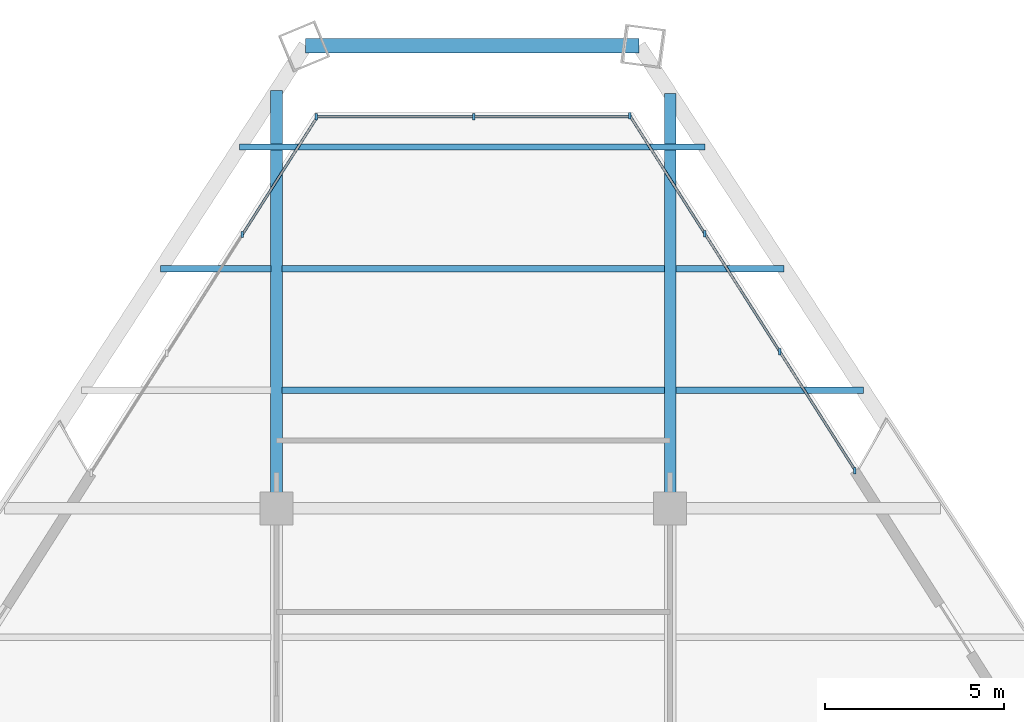
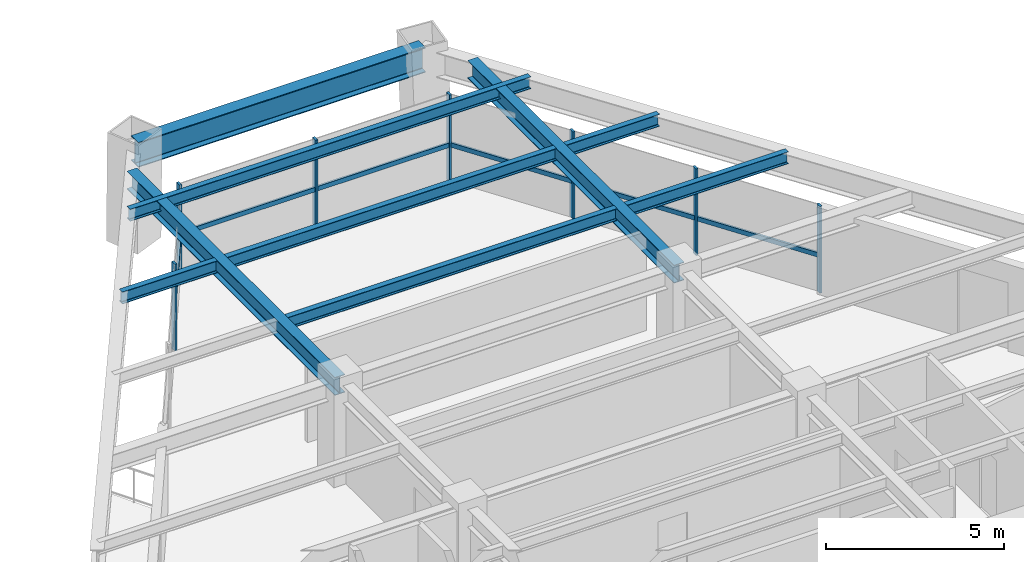
# One storey, part 9 of 15: 13 members, 9 beams, 3 elements without a shape of their own.
"""IFC4 building model written with IfcOpenShell, lengths in metres."""

import ifcopenshell
import ifcopenshell.guid

model = None  # the IFC model being written
_history = None  # IfcOwnerHistory: only IFC2X3 demands one
_inside = {}  # id of a spatial element -> (the spatial element, [elements in it])
_under = {}  # id of a project, library or spatial element -> (it, [spatial elements below it])
_declared = {}  # id of a project -> (the project, [libraries it declares])
_typed = {}  # id of a type object -> (the type object, [elements of that type])
_made_of = {}  # id of a material, layer set ... -> (it, [elements and type objects made of it])


def new_model(schema):
    """Start an empty IFC model of exactly this schema.

    Asked for "IFC4X3", IfcOpenShell would pick the latest addendum, in which some entities
    have other attributes; the version numbers below select the first issue.
    IFC2X3 requires an IfcOwnerHistory on every rooted entity: one is made here for all.
    """
    global model, _history
    if schema == "IFC4X3":
        model = ifcopenshell.file(schema_version=(4, 3, 0, 0))
    else:
        model = ifcopenshell.file(schema=schema)
    _inside.clear()
    _under.clear()
    _declared.clear()
    _typed.clear()
    _made_of.clear()
    _history = None
    if model.schema == "IFC2X3":
        org = make("IfcOrganization", Name="unknown")
        user = make(
            "IfcPersonAndOrganization",
            ThePerson=make("IfcPerson", FamilyName="unknown"),
            TheOrganization=org,
        )
        app = make(
            "IfcApplication",
            ApplicationDeveloper=org,
            Version="unknown",
            ApplicationFullName="unknown",
            ApplicationIdentifier="unknown",
        )
        _history = make(
            "IfcOwnerHistory",
            OwningUser=user,
            OwningApplication=app,
            ChangeAction="ADDED",
            CreationDate=0,
        )
    return model


def make(cls, **values):
    """One entity of the class cls with the attributes given. An attribute that is None is left unset."""
    return model.create_entity(
        cls, **{name: value for name, value in values.items() if value is not None}
    )


def rooted(cls, **values):
    """An entity with a GlobalId (a new one), such as an element, a storey or a relation."""
    return make(cls, GlobalId=ifcopenshell.guid.new(), OwnerHistory=_history, **values)


def si_unit(unit_type, name, prefix=None):
    """IfcSIUnit, for example si_unit("LENGTHUNIT", "METRE", prefix="MILLI")."""
    return make("IfcSIUnit", UnitType=unit_type, Prefix=prefix, Name=name)


def assignment(units):
    """IfcUnitAssignment: the units of a project."""
    return None if units is None else make("IfcUnitAssignment", Units=units)


def point(xyz):
    """IfcCartesianPoint."""
    return None if xyz is None else make("IfcCartesianPoint", Coordinates=xyz)


def direction(xyz):
    """IfcDirection."""
    return None if xyz is None else make("IfcDirection", DirectionRatios=xyz)


def frame(location, z_axis=None, x_axis=None):
    """IfcAxis2Placement3D, a coordinate frame: its origin and axes. An axis left out is left unset."""
    return make(
        "IfcAxis2Placement3D",
        Location=point(location),
        Axis=direction(z_axis),
        RefDirection=direction(x_axis),
    )


def frame_2d(location, x_axis=None):
    """IfcAxis2Placement2D, a coordinate frame in the plane: its origin and x axis."""
    return make(
        "IfcAxis2Placement2D", Location=point(location), RefDirection=direction(x_axis)
    )


def origin():
    """The frame at (0, 0, 0) with its axes left unset."""
    return frame((0.0, 0.0, 0.0))


def origin_2d():
    """The frame at (0, 0) in the plane with its x axis left unset."""
    return frame_2d((0.0, 0.0))


def place(relative_to, where):
    """IfcLocalPlacement: puts the frame where relative to a parent placement (None: the world)."""
    return make(
        "IfcLocalPlacement", PlacementRelTo=relative_to, RelativePlacement=where
    )


def context(
    kind, dimensions, precision=None, world=None, true_north=None, identifier=None
):
    """IfcGeometricRepresentationContext, for example the 3D "Model" context."""
    return make(
        "IfcGeometricRepresentationContext",
        ContextIdentifier=identifier,
        ContextType=kind,
        CoordinateSpaceDimension=dimensions,
        Precision=precision,
        WorldCoordinateSystem=world,
        TrueNorth=true_north,
    )


def subcontext(parent, identifier, kind, view, scale=None):
    """IfcGeometricRepresentationSubContext, for example "Body" below "Model"."""
    return make(
        "IfcGeometricRepresentationSubContext",
        ContextIdentifier=identifier,
        ContextType=kind,
        ParentContext=parent,
        TargetScale=scale,
        TargetView=view,
    )


def project(units=None, contexts=None):
    """IfcProject with its units and contexts."""
    return rooted(
        "IfcProject",
        Name="project",
        RepresentationContexts=contexts,
        UnitsInContext=assignment(units),
    )


def spatial(cls, under=None, at=None, **own):
    """A site, building, storey or space (cls), placed at a placement, below another one or the project."""
    s = rooted(cls, ObjectPlacement=at, **own)
    if under is not None:
        _under.setdefault(under.id(), (under, []))[1].append(s)
    return s


def profile(cls, at=None, kind="AREA", **sizes):
    """A parametric profile (cls). Its sizes go by their IFC names, for example OverallWidth=200.0."""
    return make(cls, ProfileType=kind, Position=at, **sizes)


def rectangle(**sizes):
    """IfcRectangleProfileDef."""
    return profile("IfcRectangleProfileDef", **sizes)


def i_section(**sizes):
    """IfcIShapeProfileDef."""
    return profile("IfcIShapeProfileDef", **sizes)


def extrude(swept, where, along, depth):
    """IfcExtrudedAreaSolid: the profile swept, set in the frame where, extruded along a direction by depth."""
    return make(
        "IfcExtrudedAreaSolid",
        SweptArea=swept,
        Position=where,
        ExtrudedDirection=direction(along),
        Depth=depth,
    )


def shape(context_of_items, identifier, shape_type, items):
    """IfcShapeRepresentation: the items that make up one representation, for example the "Body"."""
    return make(
        "IfcShapeRepresentation",
        ContextOfItems=context_of_items,
        RepresentationIdentifier=identifier,
        RepresentationType=shape_type,
        Items=items,
    )


def source(mapping_origin, context_of_items, identifier, shape_type, items):
    """IfcRepresentationMap: a shape defined once, which mapped items show again and again."""
    return make(
        "IfcRepresentationMap",
        MappingOrigin=mapping_origin,
        MappedRepresentation=shape(context_of_items, identifier, shape_type, items),
    )


def transform(
    local_origin,
    x_axis=None,
    y_axis=None,
    z_axis=None,
    scale=None,
    scale2=None,
    scale3=None,
    uniform=True,
):
    """IfcCartesianTransformationOperator3D, or its non-uniform kind. x_axis, y_axis, z_axis: its Axis1, 2, 3."""
    if uniform:
        return make(
            "IfcCartesianTransformationOperator3D",
            Axis1=direction(x_axis),
            Axis2=direction(y_axis),
            LocalOrigin=point(local_origin),
            Scale=scale,
            Axis3=direction(z_axis),
        )
    return make(
        "IfcCartesianTransformationOperator3DnonUniform",
        Axis1=direction(x_axis),
        Axis2=direction(y_axis),
        LocalOrigin=point(local_origin),
        Scale=scale,
        Axis3=direction(z_axis),
        Scale2=scale2,
        Scale3=scale3,
    )


def mapped(mapping_source, mapping_target):
    """IfcMappedItem: shows the shape of a source again, moved by a transform."""
    return make(
        "IfcMappedItem", MappingSource=mapping_source, MappingTarget=mapping_target
    )


def material(Name=None, Category=None):
    """IfcMaterial."""
    return make("IfcMaterial", Name=Name, Category=Category)


def material_profile(
    of_material, cross_section, Name=None, Category=None, Priority=None
):
    """IfcMaterialProfile: a cross section and its material."""
    return make(
        "IfcMaterialProfile",
        Name=Name,
        Material=of_material,
        Profile=cross_section,
        Priority=Priority,
        Category=Category,
    )


def profile_set(profiles, Name=None, composite=None):
    """IfcMaterialProfileSet."""
    return make(
        "IfcMaterialProfileSet",
        Name=Name,
        MaterialProfiles=profiles,
        CompositeProfile=composite,
    )


def made_of(thing, what):
    """Note that an element or type object is made of a material, layer set ...; save() writes the relation."""
    if what is not None:
        _made_of.setdefault(what.id(), (what, []))[1].append(thing)
    return thing


def type_object(cls, material=None, **own):
    """A type object (cls), such as IfcWallType, which elements share."""
    return made_of(rooted(cls, **own), material)


def element(
    cls,
    number,
    at=None,
    inside=None,
    cuts=None,
    type_object=None,
    material=None,
    context=None,
    identifier="Body",
    shape_type=None,
    held_by="IfcProductDefinitionShape",
    body=None,
    shapes=None,
    **own,
):
    """One element of the class cls, such as IfcWall. Its Tag is "e" and its number.

    at: its placement. inside: the storey or other place that contains it. cuts: it is an
    opening in that element (IfcRelVoidsElement). A single representation is given by context,
    identifier, shape_type and body (its items); several are given by shapes. held_by: the class
    of the entity that holds the representations. save() writes the other relations.
    """
    e = rooted(cls, Tag="e%d" % number, ObjectPlacement=at, **own)
    if body is not None:
        shapes = [shape(context, identifier, shape_type, body)]
    if shapes is not None:
        e.Representation = make(held_by, Representations=shapes)
    if inside is not None:
        _inside.setdefault(inside.id(), (inside, []))[1].append(e)
    if cuts is not None:
        rooted(
            "IfcRelVoidsElement", RelatingBuildingElement=cuts, RelatedOpeningElement=e
        )
    if type_object is not None:
        _typed.setdefault(type_object.id(), (type_object, []))[1].append(e)
    return made_of(e, material)


def aggregate(whole, parts):
    """IfcRelAggregates: a whole, such as a stair, and the parts it consists of."""
    return rooted("IfcRelAggregates", RelatingObject=whole, RelatedObjects=parts)


def save(model, path):
    """Write the relations noted so far, then the file.

    IfcRelAggregates (storeys below a building ...), IfcRelContainedInSpatialStructure (elements
    in a storey), IfcRelDefinesByType, IfcRelAssociatesMaterial and IfcRelDeclares: one each for
    every whole, place, type object, material and project.
    """
    for whole, parts in _under.values():
        aggregate(whole, parts)
    for where, things in _inside.values():
        rooted(
            "IfcRelContainedInSpatialStructure",
            RelatedElements=things,
            RelatingStructure=where,
        )
    for kind, things in _typed.values():
        rooted("IfcRelDefinesByType", RelatedObjects=things, RelatingType=kind)
    for what, things in _made_of.values():
        rooted("IfcRelAssociatesMaterial", RelatedObjects=things, RelatingMaterial=what)
    for by, libraries in _declared.values():
        rooted("IfcRelDeclares", RelatingContext=by, RelatedDefinitions=libraries)
    model.write(path)


model = new_model("IFC4")

# Units and contexts
model_context = context("Model", 3, precision=1e-05, world=origin(), true_north=direction((0.0, 1.0)))
body_context = subcontext(model_context, "Body", "Model", "MODEL_VIEW")
ifc_project = project(units=[si_unit("LENGTHUNIT", "METRE"), si_unit("AREAUNIT", "SQUARE_METRE"), si_unit("VOLUMEUNIT", "CUBIC_METRE"), si_unit("PLANEANGLEUNIT", "RADIAN"), si_unit("MASSUNIT", "GRAM", prefix="KILO")], contexts=[model_context])

# Site, building, storey
site_placement = place(None, origin())
site = spatial("IfcSite", under=ifc_project, at=site_placement, CompositionType="ELEMENT")
building_placement = place(site_placement, origin())
building = spatial("IfcBuilding", under=site, at=building_placement, Name="Varnakhor Terracotta Tower", CompositionType="ELEMENT")
storey_placement = place(building_placement, frame((0.0, 0.0, 162.60009765625)))
storey = spatial("IfcBuildingStorey", under=building, at=storey_placement, Name="L41", CompositionType="ELEMENT", Elevation=162.60009765625)

# Beams
ifc_material_1 = material(Name="Steel S355", Category="steel")
ifc_material_profile_1 = material_profile(ifc_material_1, i_section(OverallWidth=0.179931640625, OverallDepth=0.4130859375, WebThickness=0.009765625, FlangeThickness=0.01611328125, FilletRadius=0.01806640625, at=origin_2d()), Name="W16X50")
ifc_profile_set_1 = profile_set([ifc_material_profile_1], Name="Steel S355")
beam_type_1 = type_object("IfcBeamType", Name="JST-W16X50", PredefinedType="JOIST", material=ifc_profile_set_1)
shared_shape_1 = source(origin(), body_context, "Body", "SweptSolid", [
    extrude(i_section(OverallWidth=0.179931640625, OverallDepth=0.4130859375, WebThickness=0.009765625, FlangeThickness=0.01611328125, FilletRadius=0.01806640625, at=origin_2d()), origin(), (0.0, 0.0, 1.0), 10.68310546875),
])
for number, where, z_axis, x_axis, name in (
    (1, (-5.341552734375, 34.800048828125, 3.193359375), (1.0, 0.0, 0.0), (0.0, 1.0, 0.0), "L41 Composite Floor Joist 7-2"),
    (2, (-5.341552734375, 38.199951171875, 3.193359375), (1.0, 0.0, 0.0), (0.0, 1.0, 0.0), "L41 Composite Floor Joist 8-2"),
):
    element("IfcBeam", number, at=place(storey_placement, frame(where, z_axis=z_axis, x_axis=x_axis)), inside=storey, type_object=beam_type_1, Name=name, PredefinedType="JOIST", context=body_context, shape_type="MappedRepresentation", body=[
        mapped(shared_shape_1, transform((0.0, 0.0, 0.0), scale=1.0)),
    ])
ifc_material_profile_2 = material_profile(ifc_material_1, i_section(OverallWidth=0.39990234375, OverallDepth=0.85498046875, WebThickness=0.01806640625, FlangeThickness=0.029052734375, FilletRadius=0.01806640625, at=origin_2d()), Name="W33X201")
ifc_profile_set_2 = profile_set([ifc_material_profile_2], Name="Steel S355")
beam_type_2 = type_object("IfcBeamType", Name="BM-W33X201", PredefinedType="BEAM", material=ifc_profile_set_2)
shared_shape_2 = source(origin(), body_context, "Body", "SweptSolid", [
    extrude(i_section(OverallWidth=0.39990234375, OverallDepth=0.85498046875, WebThickness=0.01806640625, FlangeThickness=0.029052734375, FilletRadius=0.01806640625, at=origin_2d()), origin(), (0.0, 0.0, 1.0), 9.320556640625),
])
beam_1_placement = place(storey_placement, frame((4.63134765625, 44.428955078125, 2.972412109375), z_axis=(-1.0, 0.0, 0.0), x_axis=(0.0, -1.0, 0.0)))
element("IfcBeam", 3, at=beam_1_placement, inside=storey, type_object=beam_type_2, Name="L41 Perimeter Spandrel 5", PredefinedType="BEAM", context=body_context, shape_type="MappedRepresentation", body=[
    mapped(shared_shape_2, transform((0.0, 0.0, 0.0), scale=1.0)),
])
ifc_material_profile_3 = material_profile(ifc_material_1, i_section(OverallWidth=0.324951171875, OverallDepth=0.615966796875, WebThickness=0.013916015625, FlangeThickness=0.02197265625, FilletRadius=0.01806640625, at=origin_2d()), Name="W24X117")
ifc_profile_set_3 = profile_set([ifc_material_profile_3], Name="Steel S355")
beam_type_3 = type_object("IfcBeamType", Name="BM-W24X117", PredefinedType="BEAM", material=ifc_profile_set_3)
shared_shape_3 = source(origin(), body_context, "Body", "SweptSolid", [
    extrude(i_section(OverallWidth=0.324951171875, OverallDepth=0.615966796875, WebThickness=0.013916015625, FlangeThickness=0.02197265625, FilletRadius=0.01806640625, at=origin_2d()), origin(), (0.0, 0.0, 1.0), 11.681640625),
])
beam_2_placement = place(storey_placement, frame((-5.5, 31.5, 3.091796875), z_axis=(0.0, 1.0, 0.0), x_axis=(-1.0, 0.0, 0.0)))
element("IfcBeam", 4, at=beam_2_placement, inside=storey, type_object=beam_type_3, Name="L41 Primary Girder NS3-W", PredefinedType="BEAM", context=body_context, shape_type="MappedRepresentation", body=[
    mapped(shared_shape_3, transform((0.0, 0.0, 0.0), scale=1.0)),
])
shared_shape_4 = source(origin(), body_context, "Body", "SweptSolid", [
    extrude(i_section(OverallWidth=0.324951171875, OverallDepth=0.615966796875, WebThickness=0.013916015625, FlangeThickness=0.02197265625, FilletRadius=0.01806640625, at=origin_2d()), origin(), (0.0, 0.0, 1.0), 11.59521484375),
])
beam_3_placement = place(storey_placement, frame((5.5, 31.5, 3.091796875), z_axis=(0.0, 1.0, 0.0), x_axis=(-1.0, 0.0, 0.0)))
element("IfcBeam", 5, at=beam_3_placement, inside=storey, type_object=beam_type_3, Name="L41 Primary Girder NS3-E", PredefinedType="BEAM", context=body_context, shape_type="MappedRepresentation", body=[
    mapped(shared_shape_4, transform((0.0, 0.0, 0.0), scale=1.0)),
])
shared_shape_5 = source(origin(), body_context, "Body", "SweptSolid", [
    extrude(i_section(OverallWidth=0.179931640625, OverallDepth=0.4130859375, WebThickness=0.009765625, FlangeThickness=0.01611328125, FilletRadius=0.01806640625, at=origin_2d()), origin(), (0.0, 0.0, 1.0), 5.244140625),
])
beam_4_placement = place(storey_placement, frame((5.658447265625, 34.800048828125, 3.193359375), z_axis=(1.0, 0.0, 0.0), x_axis=(0.0, 1.0, 0.0)))
element("IfcBeam", 6, at=beam_4_placement, inside=storey, type_object=beam_type_1, Name="L41 Composite Floor Joist 7-3", PredefinedType="JOIST", context=body_context, shape_type="MappedRepresentation", body=[
    mapped(shared_shape_5, transform((0.0, 0.0, 0.0), scale=1.0)),
])
shared_shape_6 = source(origin(), body_context, "Body", "SweptSolid", [
    extrude(i_section(OverallWidth=0.179931640625, OverallDepth=0.4130859375, WebThickness=0.009765625, FlangeThickness=0.01611328125, FilletRadius=0.01806640625, at=origin_2d()), origin(), (0.0, 0.0, 1.0), 3.07958984375),
])
beam_5_placement = place(storey_placement, frame((-8.738037109375, 38.199951171875, 3.193359375), z_axis=(1.0, 0.0, 0.0), x_axis=(0.0, 1.0, 0.0)))
element("IfcBeam", 7, at=beam_5_placement, inside=storey, type_object=beam_type_1, Name="L41 Composite Floor Joist 8-1", PredefinedType="JOIST", context=body_context, shape_type="MappedRepresentation", body=[
    mapped(shared_shape_6, transform((0.0, 0.0, 0.0), scale=1.0)),
])
shared_shape_7 = source(origin(), body_context, "Body", "SweptSolid", [
    extrude(i_section(OverallWidth=0.179931640625, OverallDepth=0.4130859375, WebThickness=0.009765625, FlangeThickness=0.01611328125, FilletRadius=0.01806640625, at=origin_2d()), origin(), (0.0, 0.0, 1.0), 3.02978515625),
])
beam_6_placement = place(storey_placement, frame((5.658447265625, 38.199951171875, 3.193359375), z_axis=(1.0, 0.0, 0.0), x_axis=(0.0, 1.0, 0.0)))
element("IfcBeam", 8, at=beam_6_placement, inside=storey, type_object=beam_type_1, Name="L41 Composite Floor Joist 8-3", PredefinedType="JOIST", context=body_context, shape_type="MappedRepresentation", body=[
    mapped(shared_shape_7, transform((0.0, 0.0, 0.0), scale=1.0)),
])
shared_shape_8 = source(origin(), body_context, "Body", "SweptSolid", [
    extrude(i_section(OverallWidth=0.179931640625, OverallDepth=0.4130859375, WebThickness=0.009765625, FlangeThickness=0.01611328125, FilletRadius=0.01806640625, at=origin_2d()), origin(), (0.0, 0.0, 1.0), 13.001953125),
])
beam_7_placement = place(storey_placement, frame((-6.528076171875, 41.60009765625, 3.193359375), z_axis=(1.0, 0.0, 0.0), x_axis=(0.0, 1.0, 0.0)))
element("IfcBeam", 9, at=beam_7_placement, inside=storey, type_object=beam_type_1, Name="L41 Composite Floor Joist 9-1", PredefinedType="JOIST", context=body_context, shape_type="MappedRepresentation", body=[
    mapped(shared_shape_8, transform((0.0, 0.0, 0.0), scale=1.0)),
])

# Curtain wall, member
ifc_material_2 = material(Name="Anodised Aluminium Curtain Wall System", Category="aluminium")
curtain_wall_type = type_object("IfcCurtainWallType", Name="CW-SYS-MID-OFFICE", PredefinedType="NOTDEFINED", material=ifc_material_2)
curtain_wall_1_placement = place(storey_placement, origin())
curtain_wall_1 = element("IfcCurtainWall", 10, at=curtain_wall_1_placement, inside=storey, type_object=curtain_wall_type, Name="L41 W Facet Curtain Wall 2", PredefinedType="NOTDEFINED")
ifc_material_3 = material(Name="Anodised Aluminium 6063-T6", Category="aluminium")
ifc_material_profile_4 = material_profile(ifc_material_3, rectangle(XDim=0.070068359375, YDim=0.175048828125, at=origin_2d()), Name="ALU MULLION 70x175")
ifc_profile_set_4 = profile_set([ifc_material_profile_4], Name="Anodised Aluminium 6063-T6")
member_type_1 = type_object("IfcMemberType", Name="CWM-03", PredefinedType="MULLION", material=ifc_profile_set_4)
shared_shape_9 = source(origin(), body_context, "Body", "SweptSolid", [
    extrude(rectangle(XDim=0.070068359375, YDim=0.175048828125, at=origin_2d()), origin(), (0.0, 0.0, 1.0), 2.97998046875),
])
member_1_placement = place(storey_placement, frame((-6.44921875, 39.156005859375, 0.0), z_axis=(0.0, 0.0, 1.0), x_axis=(1.0, 0.0, 0.0)))
member_1 = element("IfcMember", 11, at=member_1_placement, type_object=member_type_1, Name="L41 W Facet Curtain Wall 2 Mullion 3", PredefinedType="MULLION", context=body_context, shape_type="MappedRepresentation", body=[
    mapped(shared_shape_9, transform((0.0, 0.0, 0.0), scale=1.0)),
])

# Curtain wall, members
curtain_wall_2_placement = place(storey_placement, origin())
curtain_wall_2 = element("IfcCurtainWall", 12, at=curtain_wall_2_placement, inside=storey, type_object=curtain_wall_type, Name="L41 Facet Curtain Wall 2", PredefinedType="NOTDEFINED")
member_2_placement = place(storey_placement, frame((-4.3935546875, 42.443603515625, 0.0), z_axis=(0.0, 0.0, 1.0), x_axis=(1.0, 0.0, 0.0)))
member_2 = element("IfcMember", 13, at=member_2_placement, type_object=member_type_1, Name="L41 Facet Curtain Wall 2 Mullion 1", PredefinedType="MULLION", context=body_context, shape_type="MappedRepresentation", body=[
    mapped(shared_shape_9, transform((0.0, 0.0, 0.0), scale=1.0)),
])
member_3_placement = place(storey_placement, frame((0.0185546875, 42.443603515625, 0.0), z_axis=(0.0, 0.0, 1.0), x_axis=(1.0, 0.0, 0.0)))
member_3 = element("IfcMember", 14, at=member_3_placement, type_object=member_type_1, Name="L41 Facet Curtain Wall 2 Mullion 2", PredefinedType="MULLION", context=body_context, shape_type="MappedRepresentation", body=[
    mapped(shared_shape_9, transform((0.0, 0.0, 0.0), scale=1.0)),
])

curtain_wall_3_placement = place(storey_placement, origin())
curtain_wall_3 = element("IfcCurtainWall", 15, at=curtain_wall_3_placement, inside=storey, type_object=curtain_wall_type, Name="L41 E Facet Curtain Wall 1", PredefinedType="NOTDEFINED")
member_4_placement = place(storey_placement, frame((4.37548828125, 42.473876953125, 0.0), z_axis=(0.0, 0.0, 1.0), x_axis=(1.0, 0.0, 0.0)))
member_4 = element("IfcMember", 16, at=member_4_placement, type_object=member_type_1, Name="L41 E Facet Curtain Wall 1 Mullion 1", PredefinedType="MULLION", context=body_context, shape_type="MappedRepresentation", body=[
    mapped(shared_shape_9, transform((0.0, 0.0, 0.0), scale=1.0)),
])
member_5_placement = place(storey_placement, frame((6.4697265625, 39.177734375, 0.0), z_axis=(0.0, 0.0, 1.0), x_axis=(1.0, 0.0, 0.0)))
member_5 = element("IfcMember", 17, at=member_5_placement, type_object=member_type_1, Name="L41 E Facet Curtain Wall 1 Mullion 2", PredefinedType="MULLION", context=body_context, shape_type="MappedRepresentation", body=[
    mapped(shared_shape_9, transform((0.0, 0.0, 0.0), scale=1.0)),
])
member_6_placement = place(storey_placement, frame((8.564208984375, 35.881591796875, 0.0), z_axis=(0.0, 0.0, 1.0), x_axis=(1.0, 0.0, 0.0)))
member_6 = element("IfcMember", 18, at=member_6_placement, type_object=member_type_1, Name="L41 E Facet Curtain Wall 1 Mullion 3", PredefinedType="MULLION", context=body_context, shape_type="MappedRepresentation", body=[
    mapped(shared_shape_9, transform((0.0, 0.0, 0.0), scale=1.0)),
])
member_7_placement = place(storey_placement, frame((10.65771484375, 32.54931640625, 0.0), z_axis=(0.0, 0.0, 1.0), x_axis=(1.0, 0.0, 0.0)))
member_7 = element("IfcMember", 19, at=member_7_placement, type_object=member_type_1, Name="L41 E Loggia Jamb Closure Mullion 1", PredefinedType="MULLION", context=body_context, shape_type="MappedRepresentation", body=[
    mapped(shared_shape_9, transform((0.0, 0.0, 0.0), scale=1.0)),
])

# Member
ifc_material_profile_5 = material_profile(ifc_material_3, rectangle(XDim=0.070068359375, YDim=0.155029296875, at=origin_2d()), Name="ALU TRANSOM 70x155")
ifc_profile_set_5 = profile_set([ifc_material_profile_5], Name="Anodised Aluminium 6063-T6")
member_type_2 = type_object("IfcMemberType", Name="CWT-03", PredefinedType="USERDEFINED", material=ifc_profile_set_5)
shared_shape_10 = source(origin(), body_context, "Body", "SweptSolid", [
    extrude(rectangle(XDim=0.070068359375, YDim=0.155029296875, at=origin_2d()), origin(), (0.0, 0.0, 1.0), 3.932373046875),
])
member_8_placement = place(storey_placement, frame((-6.44921875, 39.156005859375, 1.25146484375), z_axis=(0.536779075742, 0.843722835916, 0.0), x_axis=(-0.843722835916, 0.536779075742, 0.0)))
member_8 = element("IfcMember", 20, at=member_8_placement, type_object=member_type_2, Name="L41 W Facet Curtain Wall 2 Transom 3", ObjectType="TRANSOM", PredefinedType="USERDEFINED", context=body_context, shape_type="MappedRepresentation", body=[
    mapped(shared_shape_10, transform((0.0, 0.0, 0.0), scale=1.0)),
])

aggregate(curtain_wall_1, [member_1, member_8])

shared_shape_11 = source(origin(), body_context, "Body", "SweptSolid", [
    extrude(rectangle(XDim=0.070068359375, YDim=0.155029296875, at=origin_2d()), origin(), (0.0, 0.0, 1.0), 4.412109375),
])
member_9_placement = place(storey_placement, frame((-4.3935546875, 42.443603515625, 1.25146484375), z_axis=(1.0, 0.0, 0.0), x_axis=(0.0, 1.0, 0.0)))
member_9 = element("IfcMember", 21, at=member_9_placement, type_object=member_type_2, Name="L41 Facet Curtain Wall 2 Transom 1", ObjectType="TRANSOM", PredefinedType="USERDEFINED", context=body_context, shape_type="MappedRepresentation", body=[
    mapped(shared_shape_11, transform((0.0, 0.0, 0.0), scale=1.0)),
])

member_10_placement = place(storey_placement, frame((0.0185546875, 42.443603515625, 1.25146484375), z_axis=(1.0, 0.0, 0.0), x_axis=(0.0, 1.0, 0.0)))
member_10 = element("IfcMember", 22, at=member_10_placement, type_object=member_type_2, Name="L41 Facet Curtain Wall 2 Transom 2", ObjectType="TRANSOM", PredefinedType="USERDEFINED", context=body_context, shape_type="MappedRepresentation", body=[
    mapped(shared_shape_11, transform((0.0, 0.0, 0.0), scale=1.0)),
])

aggregate(curtain_wall_2, [member_2, member_9, member_3, member_10])

shared_shape_12 = source(origin(), body_context, "Body", "SweptSolid", [
    extrude(rectangle(XDim=0.070068359375, YDim=0.155029296875, at=origin_2d()), origin(), (0.0, 0.0, 1.0), 3.9052734375),
])
member_11_placement = place(storey_placement, frame((4.37548828125, 42.473876953125, 1.25146484375), z_axis=(0.536272615738, -0.844044833886, 0.0), x_axis=(0.844044833886, 0.536272615738, 0.0)))
member_11 = element("IfcMember", 23, at=member_11_placement, type_object=member_type_2, Name="L41 E Facet Curtain Wall 1 Transom 1", ObjectType="TRANSOM", PredefinedType="USERDEFINED", context=body_context, shape_type="MappedRepresentation", body=[
    mapped(shared_shape_12, transform((0.0, 0.0, 0.0), scale=1.0)),
])

member_12_placement = place(storey_placement, frame((6.4697265625, 39.177734375, 1.25146484375), z_axis=(0.536317151488, -0.844016535987, 0.0), x_axis=(0.844016535987, 0.536317151488, 0.0)))
member_12 = element("IfcMember", 24, at=member_12_placement, type_object=member_type_2, Name="L41 E Facet Curtain Wall 1 Transom 2", ObjectType="TRANSOM", PredefinedType="USERDEFINED", context=body_context, shape_type="MappedRepresentation", body=[
    mapped(shared_shape_12, transform((0.0, 0.0, 0.0), scale=1.0)),
])

member_13_placement = place(storey_placement, frame((8.564208984375, 35.881591796875, 1.25146484375), z_axis=(0.536272615738, -0.844044833886, 0.0), x_axis=(0.844044833886, 0.536272615738, 0.0)))
member_13 = element("IfcMember", 25, at=member_13_placement, type_object=member_type_2, Name="L41 E Facet Curtain Wall 1 Transom 3", ObjectType="TRANSOM", PredefinedType="USERDEFINED", context=body_context, shape_type="MappedRepresentation", body=[
    mapped(shared_shape_12, transform((0.0, 0.0, 0.0), scale=1.0)),
])

aggregate(curtain_wall_3, [member_4, member_11, member_5, member_12, member_6, member_13, member_7])

save(model, "model.ifc")
